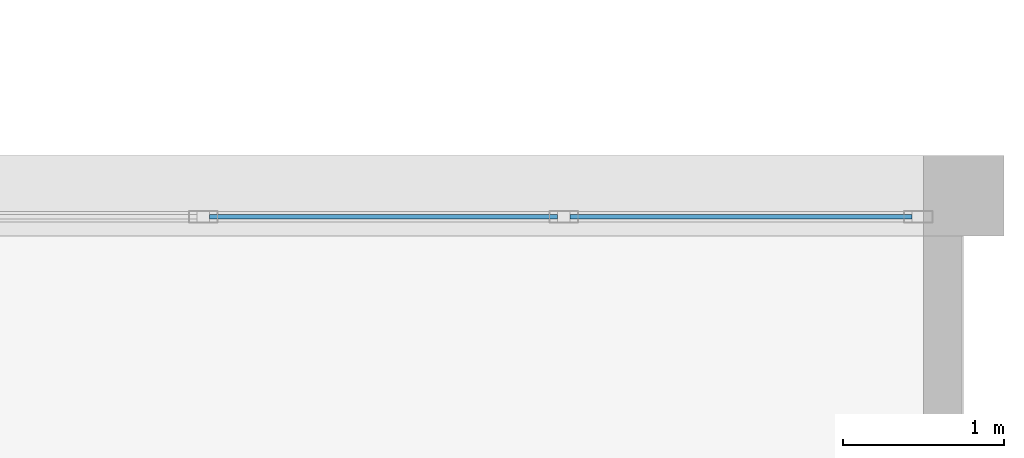
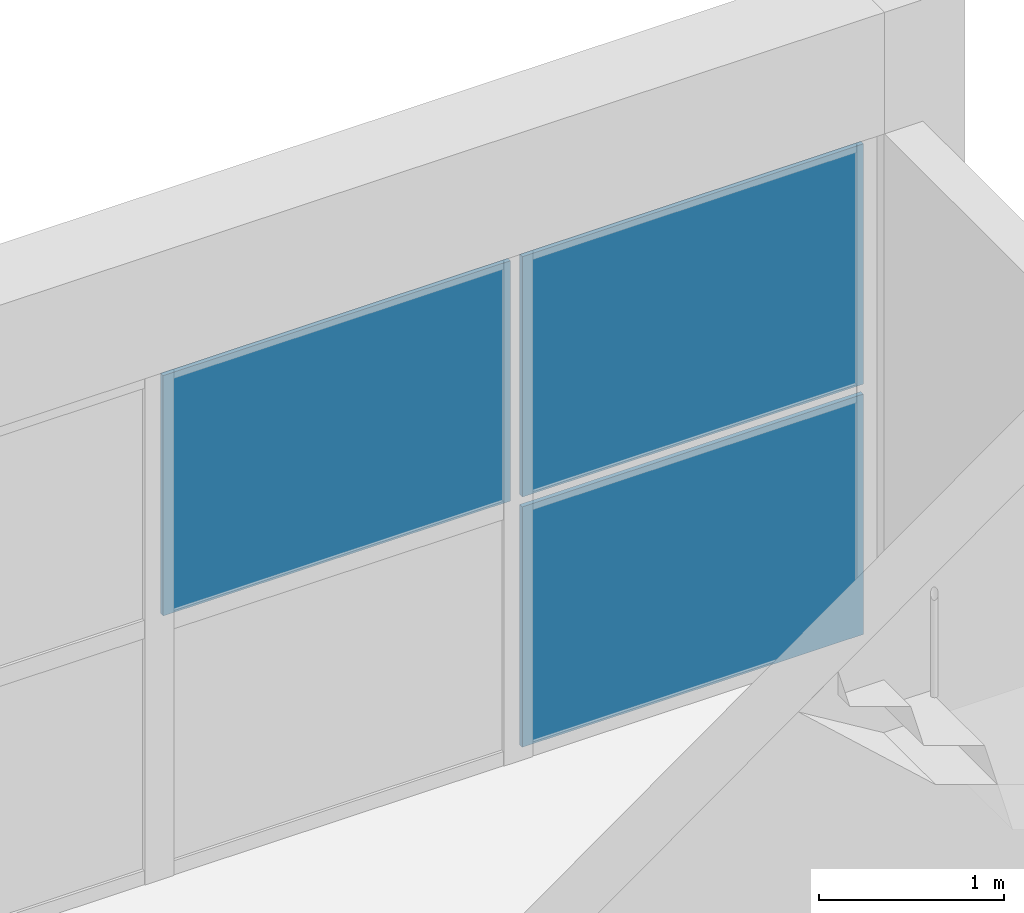
# One storey, part 125 of 153: 3 plates, 1 element without a shape of its own.
"""IFC4 building model written with IfcOpenShell, lengths in metres."""

from ifc_helpers import new_model, si_unit, direction, frame, origin, origin_2d, place, context, subcontext, project, spatial, rectangle, extrude, material, layer, layer_set, type_object, element, aggregate, save


model = new_model("IFC4")

# Units and contexts
model_context = context("Model", 3, precision=1e-05, world=origin(), true_north=direction((0.0, 1.0)))
body_context = subcontext(model_context, "Body", "Model", "MODEL_VIEW")
ifc_project = project(units=[si_unit("LENGTHUNIT", "METRE"), si_unit("AREAUNIT", "SQUARE_METRE"), si_unit("VOLUMEUNIT", "CUBIC_METRE"), si_unit("PLANEANGLEUNIT", "RADIAN"), si_unit("MASSUNIT", "GRAM", prefix="KILO")], contexts=[model_context])

# Site, building, storey
site_placement = place(None, origin())
site = spatial("IfcSite", under=ifc_project, at=site_placement, CompositionType="ELEMENT")
building_placement = place(site_placement, origin())
building = spatial("IfcBuilding", under=site, at=building_placement, Name="Bramvelor Terrace Health Centre", CompositionType="ELEMENT")
storey_placement = place(building_placement, frame((0.0, 0.0, 4.800048828125)))
storey = spatial("IfcBuildingStorey", under=building, at=storey_placement, Name="L02", CompositionType="ELEMENT", Elevation=4.800048828125)

# Curtain wall, plates
ifc_material_1 = material(Name="Anodized aluminium and double low-E glass", Category="aluminium")
curtain_wall_type = type_object("IfcCurtainWallType", Name="CW-SYS-16", PredefinedType="NOTDEFINED", material=ifc_material_1)
curtain_wall_placement = place(storey_placement, origin())
curtain_wall = element("IfcCurtainWall", 1, at=curtain_wall_placement, inside=storey, type_object=curtain_wall_type, Name="L02 Unitized Curtain Wall 105", PredefinedType="NOTDEFINED")
ifc_material_2 = material(Name="Double low-E laminated glass", Category="glass")
ifc_layer = layer(ifc_material_2, 0.028076171875)
ifc_layer_set = layer_set([ifc_layer], Name="Double low-E laminated glass")
plate_type = type_object("IfcPlateType", Name="CW-PNL-GLZ28", PredefinedType="CURTAIN_PANEL", material=ifc_layer_set)
plate_1_placement = place(storey_placement, frame((162.0, 64.669921875, 1.71240234375), z_axis=(0.0, 0.0, 1.0), x_axis=(1.0, 0.0, 0.0)))
plate_1 = element("IfcPlate", 2, at=plate_1_placement, type_object=plate_type, Name="CW-16 panel 2.2", PredefinedType="CURTAIN_PANEL", context=body_context, shape_type="SweptSolid", body=[
    extrude(rectangle(XDim=2.16162109375, YDim=0.028076171875, at=origin_2d()), origin(), (0.0, 0.0, 1.0), 1.58251953125),
])
plate_2_placement = place(storey_placement, frame((164.218017578125, 64.669921875, 0.06494140625), z_axis=(0.0, 0.0, 1.0), x_axis=(1.0, 0.0, 0.0)))
plate_2 = element("IfcPlate", 3, at=plate_2_placement, type_object=plate_type, Name="CW-16 panel 3.1", PredefinedType="CURTAIN_PANEL", context=body_context, shape_type="SweptSolid", body=[
    extrude(rectangle(XDim=2.124267578125, YDim=0.028076171875, at=origin_2d()), origin(), (0.0, 0.0, 1.0), 1.58251953125),
])
plate_3_placement = place(storey_placement, frame((164.218017578125, 64.669921875, 1.71240234375), z_axis=(0.0, 0.0, 1.0), x_axis=(1.0, 0.0, 0.0)))
plate_3 = element("IfcPlate", 4, at=plate_3_placement, type_object=plate_type, Name="CW-16 panel 3.2", PredefinedType="CURTAIN_PANEL", context=body_context, shape_type="SweptSolid", body=[
    extrude(rectangle(XDim=2.124267578125, YDim=0.028076171875, at=origin_2d()), origin(), (0.0, 0.0, 1.0), 1.58251953125),
])
aggregate(curtain_wall, [plate_1, plate_2, plate_3])

save(model, "model.ifc")
